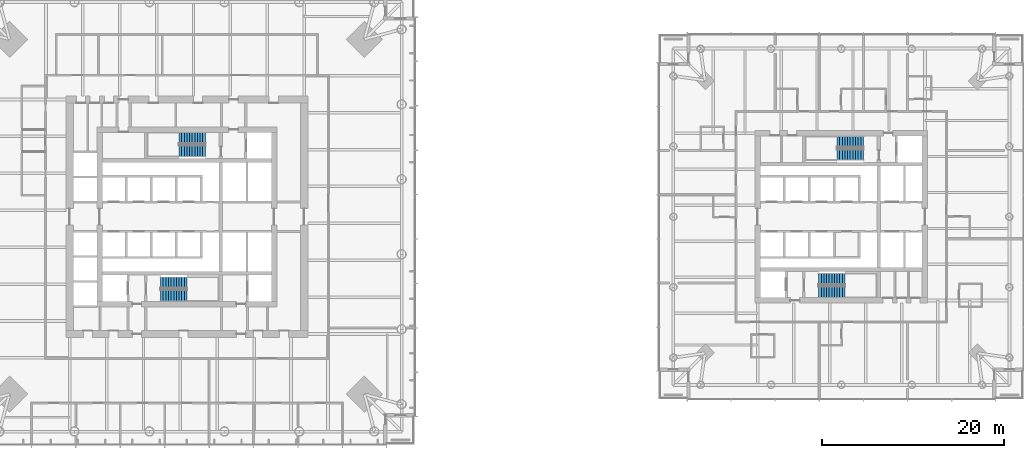
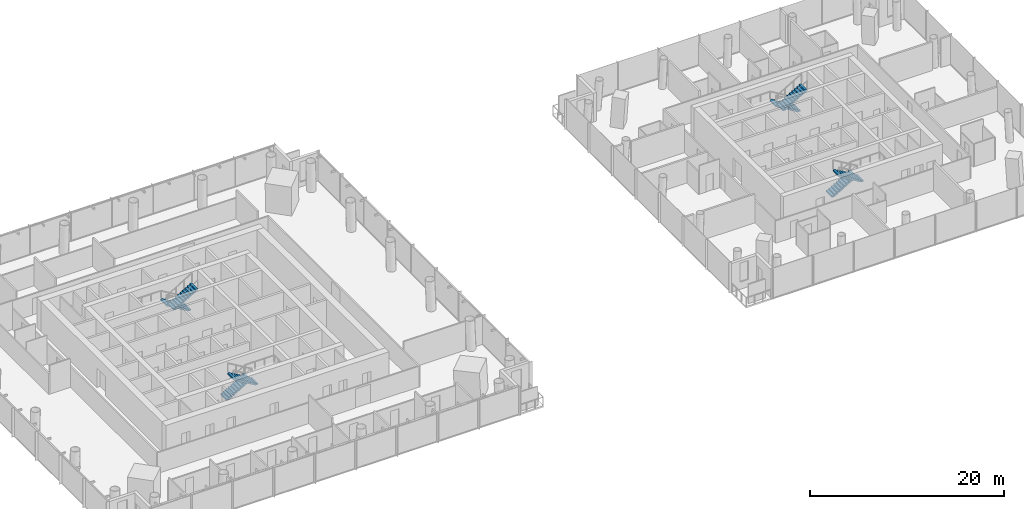
# One storey, part 18 of 21: 8 stair flights, 4 elements without a shape of their own.
"""IFC4 building model written with IfcOpenShell, lengths in metres."""

from ifc_helpers import new_model, si_unit, direction, frame, origin, place, context, subcontext, project, spatial, polyline, outline, extrude, material, type_object, element, aggregate, save


model = new_model("IFC4")

# Units and contexts
model_context = context("Model", 3, precision=1e-05, world=origin(), true_north=direction((0.0, 1.0)))
body_context = subcontext(model_context, "Body", "Model", "MODEL_VIEW")
ifc_project = project(units=[si_unit("LENGTHUNIT", "METRE"), si_unit("AREAUNIT", "SQUARE_METRE"), si_unit("VOLUMEUNIT", "CUBIC_METRE"), si_unit("PLANEANGLEUNIT", "RADIAN"), si_unit("MASSUNIT", "GRAM", prefix="KILO")], contexts=[model_context])

# Site, building, storey
site_placement = place(None, origin())
site = spatial("IfcSite", under=ifc_project, at=site_placement, CompositionType="ELEMENT")
building_placement = place(site_placement, origin())
building = spatial("IfcBuilding", under=site, at=building_placement, Name="Ostroluk Exchange", CompositionType="ELEMENT")
storey_placement = place(building_placement, frame((0.0, 0.0, 32.39990234375)))
storey = spatial("IfcBuildingStorey", under=building, at=storey_placement, Name="L07", CompositionType="ELEMENT", Elevation=32.39990234375)

# Stair, stair flights
ifc_material_1 = material(Name="Concrete C30/37", Category="concrete")
stair_type = type_object("IfcStairType", Name="Exit stair half turn 3800", PredefinedType="HALF_TURN_STAIR", material=ifc_material_1)
stair_1_placement = place(storey_placement, origin())
stair_1 = element("IfcStair", 1, at=stair_1_placement, inside=storey, type_object=stair_type, Name="Stair T1-S1 L07", PredefinedType="HALF_TURN_STAIR")
ifc_material_2 = material(Name="Concrete C30/37", Category="concrete")
stair_flight_type = type_object("IfcStairFlightType", Name="Stair flight 11 risers 172.7 x 290", PredefinedType="STRAIGHT", material=ifc_material_2)
stair_flight_1_placement = place(storey_placement, frame((42.10009765625, 38.77490234375, 0.0), z_axis=(0.0, 0.0, 1.0), x_axis=(1.0, 0.0, 0.0)))
stair_flight_1 = element("IfcStairFlight", 2, at=stair_flight_1_placement, type_object=stair_flight_type, Name="T1-S1 flight 1", NumberOfRisers=11, NumberOfTreads=10, PredefinedType="STRAIGHT", RiserHeight=0.172727273, TreadLength=0.29, context=body_context, shape_type="SweptSolid", body=[
    extrude(outline(polyline([(0.0, 0.0), (0.0, 0.172607421875), (0.2900390625, 0.172607421875), (0.2900390625, 0.345458984375), (0.580078125, 0.345458984375), (0.580078125, 0.51806640625), (0.8701171875, 0.51806640625), (0.8701171875, 0.69091796875), (1.159912109375, 0.69091796875), (1.159912109375, 0.863525390625), (1.449951171875, 0.863525390625), (1.449951171875, 1.036376953125), (1.739990234375, 1.036376953125), (1.739990234375, 1.208984375), (2.030029296875, 1.208984375), (2.030029296875, 1.3818359375), (2.320068359375, 1.3818359375), (2.320068359375, 1.554443359375), (2.610107421875, 1.554443359375), (2.610107421875, 1.727294921875), (2.89990234375, 1.727294921875), (2.89990234375, 1.89990234375), (2.89990234375, 1.552734375), (0.29296875, 0.0), (0.0, 0.0)])), frame((0.0, 0.625, 0.0), z_axis=(0.0, -1.0, 0.0), x_axis=(1.0, 0.0, 0.0)), (0.0, 0.0, 1.0), 1.25),
])
stair_flight_2_placement = place(storey_placement, frame((45.0, 37.324951171875, 1.900146484375), z_axis=(0.0, 0.0, 1.0), x_axis=(-1.0, 0.0, 0.0)))
stair_flight_2 = element("IfcStairFlight", 3, at=stair_flight_2_placement, type_object=stair_flight_type, Name="T1-S1 flight 2", NumberOfRisers=11, NumberOfTreads=10, PredefinedType="STRAIGHT", RiserHeight=0.172727273, TreadLength=0.29, context=body_context, shape_type="SweptSolid", body=[
    extrude(outline(polyline([(0.0, 0.0), (0.0, 0.172607421875), (0.2900390625, 0.172607421875), (0.2900390625, 0.345458984375), (0.580078125, 0.345458984375), (0.580078125, 0.51806640625), (0.8701171875, 0.51806640625), (0.8701171875, 0.69091796875), (1.159912109375, 0.69091796875), (1.159912109375, 0.863525390625), (1.449951171875, 0.863525390625), (1.449951171875, 1.036376953125), (1.739990234375, 1.036376953125), (1.739990234375, 1.208984375), (2.030029296875, 1.208984375), (2.030029296875, 1.3818359375), (2.320068359375, 1.3818359375), (2.320068359375, 1.554443359375), (2.610107421875, 1.554443359375), (2.610107421875, 1.727294921875), (2.89990234375, 1.727294921875), (2.89990234375, 1.89990234375), (2.89990234375, 1.552734375), (0.29296875, 0.0), (0.0, 0.0)])), frame((0.0, 0.625, 0.0), z_axis=(0.0, -1.0, 0.0), x_axis=(1.0, 0.0, 0.0)), (0.0, 0.0, 1.0), 1.25),
])
aggregate(stair_1, [stair_flight_1, stair_flight_2])

stair_2_placement = place(storey_placement, origin())
stair_2 = element("IfcStair", 4, at=stair_2_placement, inside=storey, type_object=stair_type, Name="Stair T1-S2 L07", PredefinedType="HALF_TURN_STAIR")
stair_flight_3_placement = place(storey_placement, frame((47.030029296875, 54.675048828125, 0.0), z_axis=(0.0, 0.0, 1.0), x_axis=(-1.0, 0.0, 0.0)))
stair_flight_3 = element("IfcStairFlight", 5, at=stair_flight_3_placement, type_object=stair_flight_type, Name="T1-S2 flight 1", NumberOfRisers=11, NumberOfTreads=10, PredefinedType="STRAIGHT", RiserHeight=0.172727273, TreadLength=0.29, context=body_context, shape_type="SweptSolid", body=[
    extrude(outline(polyline([(0.0, 0.0), (0.0, 0.172607421875), (0.2900390625, 0.172607421875), (0.2900390625, 0.345458984375), (0.580078125, 0.345458984375), (0.580078125, 0.51806640625), (0.8701171875, 0.51806640625), (0.8701171875, 0.69091796875), (1.159912109375, 0.69091796875), (1.159912109375, 0.863525390625), (1.449951171875, 0.863525390625), (1.449951171875, 1.036376953125), (1.739990234375, 1.036376953125), (1.739990234375, 1.208984375), (2.030029296875, 1.208984375), (2.030029296875, 1.3818359375), (2.320068359375, 1.3818359375), (2.320068359375, 1.554443359375), (2.610107421875, 1.554443359375), (2.610107421875, 1.727294921875), (2.89990234375, 1.727294921875), (2.89990234375, 1.89990234375), (2.89990234375, 1.552734375), (0.29296875, 0.0), (0.0, 0.0)])), frame((0.0, 0.625, 0.0), z_axis=(0.0, -1.0, 0.0), x_axis=(1.0, 0.0, 0.0)), (0.0, 0.0, 1.0), 1.25),
])
stair_flight_4_placement = place(storey_placement, frame((44.1298828125, 53.22509765625, 1.900146484375), z_axis=(0.0, 0.0, 1.0), x_axis=(1.0, 0.0, 0.0)))
stair_flight_4 = element("IfcStairFlight", 6, at=stair_flight_4_placement, type_object=stair_flight_type, Name="T1-S2 flight 2", NumberOfRisers=11, NumberOfTreads=10, PredefinedType="STRAIGHT", RiserHeight=0.172727273, TreadLength=0.29, context=body_context, shape_type="SweptSolid", body=[
    extrude(outline(polyline([(0.0, 0.0), (0.0, 0.172607421875), (0.2900390625, 0.172607421875), (0.2900390625, 0.345458984375), (0.580078125, 0.345458984375), (0.580078125, 0.51806640625), (0.8701171875, 0.51806640625), (0.8701171875, 0.69091796875), (1.159912109375, 0.69091796875), (1.159912109375, 0.863525390625), (1.449951171875, 0.863525390625), (1.449951171875, 1.036376953125), (1.739990234375, 1.036376953125), (1.739990234375, 1.208984375), (2.030029296875, 1.208984375), (2.030029296875, 1.3818359375), (2.320068359375, 1.3818359375), (2.320068359375, 1.554443359375), (2.610107421875, 1.554443359375), (2.610107421875, 1.727294921875), (2.89990234375, 1.727294921875), (2.89990234375, 1.89990234375), (2.89990234375, 1.552734375), (0.29296875, 0.0), (0.0, 0.0)])), frame((0.0, 0.625, 0.0), z_axis=(0.0, -1.0, 0.0), x_axis=(1.0, 0.0, 0.0)), (0.0, 0.0, 1.0), 1.25),
])
aggregate(stair_2, [stair_flight_3, stair_flight_4])

stair_3_placement = place(storey_placement, origin())
stair_3 = element("IfcStair", 7, at=stair_3_placement, inside=storey, type_object=stair_type, Name="Stair T2-S1 L07", PredefinedType="HALF_TURN_STAIR")
stair_flight_5_placement = place(storey_placement, frame((114.5, 39.175048828125, 0.0), z_axis=(0.0, 0.0, 1.0), x_axis=(1.0, 0.0, 0.0)))
stair_flight_5 = element("IfcStairFlight", 8, at=stair_flight_5_placement, type_object=stair_flight_type, Name="T2-S1 flight 1", NumberOfRisers=11, NumberOfTreads=10, PredefinedType="STRAIGHT", RiserHeight=0.172727273, TreadLength=0.29, context=body_context, shape_type="SweptSolid", body=[
    extrude(outline(polyline([(0.0, 0.0), (0.0, 0.172607421875), (0.2900390625, 0.172607421875), (0.2900390625, 0.345458984375), (0.580078125, 0.345458984375), (0.580078125, 0.51806640625), (0.8701171875, 0.51806640625), (0.8701171875, 0.69091796875), (1.159912109375, 0.69091796875), (1.159912109375, 0.863525390625), (1.449951171875, 0.863525390625), (1.449951171875, 1.036376953125), (1.739990234375, 1.036376953125), (1.739990234375, 1.208984375), (2.030029296875, 1.208984375), (2.030029296875, 1.3818359375), (2.320068359375, 1.3818359375), (2.320068359375, 1.554443359375), (2.610107421875, 1.554443359375), (2.610107421875, 1.727294921875), (2.89990234375, 1.727294921875), (2.89990234375, 1.89990234375), (2.89990234375, 1.552734375), (0.29296875, 0.0), (0.0, 0.0)])), frame((0.0, 0.625, 0.0), z_axis=(0.0, -1.0, 0.0), x_axis=(1.0, 0.0, 0.0)), (0.0, 0.0, 1.0), 1.25),
])
stair_flight_6_placement = place(storey_placement, frame((117.39990234375, 37.72509765625, 1.900146484375), z_axis=(0.0, 0.0, 1.0), x_axis=(-1.0, 0.0, 0.0)))
stair_flight_6 = element("IfcStairFlight", 9, at=stair_flight_6_placement, type_object=stair_flight_type, Name="T2-S1 flight 2", NumberOfRisers=11, NumberOfTreads=10, PredefinedType="STRAIGHT", RiserHeight=0.172727273, TreadLength=0.29, context=body_context, shape_type="SweptSolid", body=[
    extrude(outline(polyline([(0.0, 0.0), (0.0, 0.172607421875), (0.2900390625, 0.172607421875), (0.2900390625, 0.345458984375), (0.580078125, 0.345458984375), (0.580078125, 0.51806640625), (0.8701171875, 0.51806640625), (0.8701171875, 0.69091796875), (1.159912109375, 0.69091796875), (1.159912109375, 0.863525390625), (1.449951171875, 0.863525390625), (1.449951171875, 1.036376953125), (1.739990234375, 1.036376953125), (1.739990234375, 1.208984375), (2.030029296875, 1.208984375), (2.030029296875, 1.3818359375), (2.320068359375, 1.3818359375), (2.320068359375, 1.554443359375), (2.610107421875, 1.554443359375), (2.610107421875, 1.727294921875), (2.89990234375, 1.727294921875), (2.89990234375, 1.89990234375), (2.89990234375, 1.552734375), (0.29296875, 0.0), (0.0, 0.0)])), frame((0.0, 0.625, 0.0), z_axis=(0.0, -1.0, 0.0), x_axis=(1.0, 0.0, 0.0)), (0.0, 0.0, 1.0), 1.25),
])
aggregate(stair_3, [stair_flight_5, stair_flight_6])

stair_4_placement = place(storey_placement, origin())
stair_4 = element("IfcStair", 10, at=stair_4_placement, inside=storey, type_object=stair_type, Name="Stair T2-S2 L07", PredefinedType="HALF_TURN_STAIR")
stair_flight_7_placement = place(storey_placement, frame((119.429931640625, 54.27490234375, 0.0), z_axis=(0.0, 0.0, 1.0), x_axis=(-1.0, 0.0, 0.0)))
stair_flight_7 = element("IfcStairFlight", 11, at=stair_flight_7_placement, type_object=stair_flight_type, Name="T2-S2 flight 1", NumberOfRisers=11, NumberOfTreads=10, PredefinedType="STRAIGHT", RiserHeight=0.172727273, TreadLength=0.29, context=body_context, shape_type="SweptSolid", body=[
    extrude(outline(polyline([(0.0, 0.0), (0.0, 0.172607421875), (0.2900390625, 0.172607421875), (0.2900390625, 0.345458984375), (0.580078125, 0.345458984375), (0.580078125, 0.51806640625), (0.8701171875, 0.51806640625), (0.8701171875, 0.69091796875), (1.159912109375, 0.69091796875), (1.159912109375, 0.863525390625), (1.449951171875, 0.863525390625), (1.449951171875, 1.036376953125), (1.739990234375, 1.036376953125), (1.739990234375, 1.208984375), (2.030029296875, 1.208984375), (2.030029296875, 1.3818359375), (2.320068359375, 1.3818359375), (2.320068359375, 1.554443359375), (2.610107421875, 1.554443359375), (2.610107421875, 1.727294921875), (2.89990234375, 1.727294921875), (2.89990234375, 1.89990234375), (2.89990234375, 1.552734375), (0.29296875, 0.0), (0.0, 0.0)])), frame((0.0, 0.625, 0.0), z_axis=(0.0, -1.0, 0.0), x_axis=(1.0, 0.0, 0.0)), (0.0, 0.0, 1.0), 1.25),
])
stair_flight_8_placement = place(storey_placement, frame((116.530029296875, 52.824951171875, 1.900146484375), z_axis=(0.0, 0.0, 1.0), x_axis=(1.0, 0.0, 0.0)))
stair_flight_8 = element("IfcStairFlight", 12, at=stair_flight_8_placement, type_object=stair_flight_type, Name="T2-S2 flight 2", NumberOfRisers=11, NumberOfTreads=10, PredefinedType="STRAIGHT", RiserHeight=0.172727273, TreadLength=0.29, context=body_context, shape_type="SweptSolid", body=[
    extrude(outline(polyline([(0.0, 0.0), (0.0, 0.172607421875), (0.2900390625, 0.172607421875), (0.2900390625, 0.345458984375), (0.580078125, 0.345458984375), (0.580078125, 0.51806640625), (0.8701171875, 0.51806640625), (0.8701171875, 0.69091796875), (1.159912109375, 0.69091796875), (1.159912109375, 0.863525390625), (1.449951171875, 0.863525390625), (1.449951171875, 1.036376953125), (1.739990234375, 1.036376953125), (1.739990234375, 1.208984375), (2.030029296875, 1.208984375), (2.030029296875, 1.3818359375), (2.320068359375, 1.3818359375), (2.320068359375, 1.554443359375), (2.610107421875, 1.554443359375), (2.610107421875, 1.727294921875), (2.89990234375, 1.727294921875), (2.89990234375, 1.89990234375), (2.89990234375, 1.552734375), (0.29296875, 0.0), (0.0, 0.0)])), frame((0.0, 0.625, 0.0), z_axis=(0.0, -1.0, 0.0), x_axis=(1.0, 0.0, 0.0)), (0.0, 0.0, 1.0), 1.25),
])
aggregate(stair_4, [stair_flight_7, stair_flight_8])

save(model, "model.ifc")
